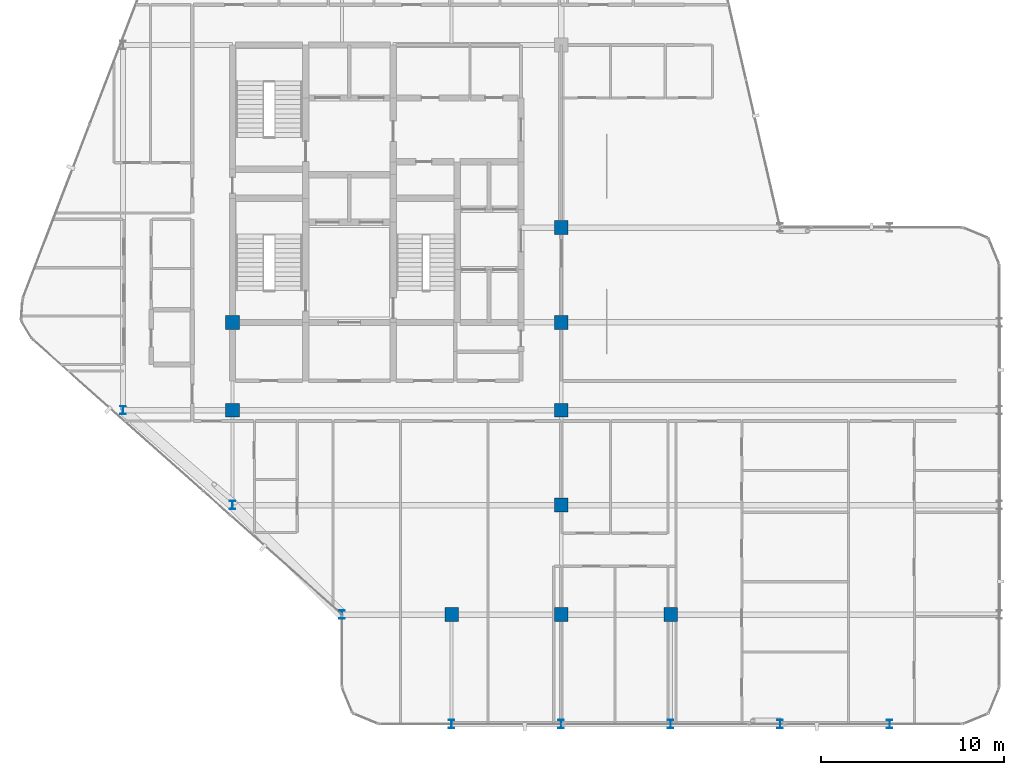
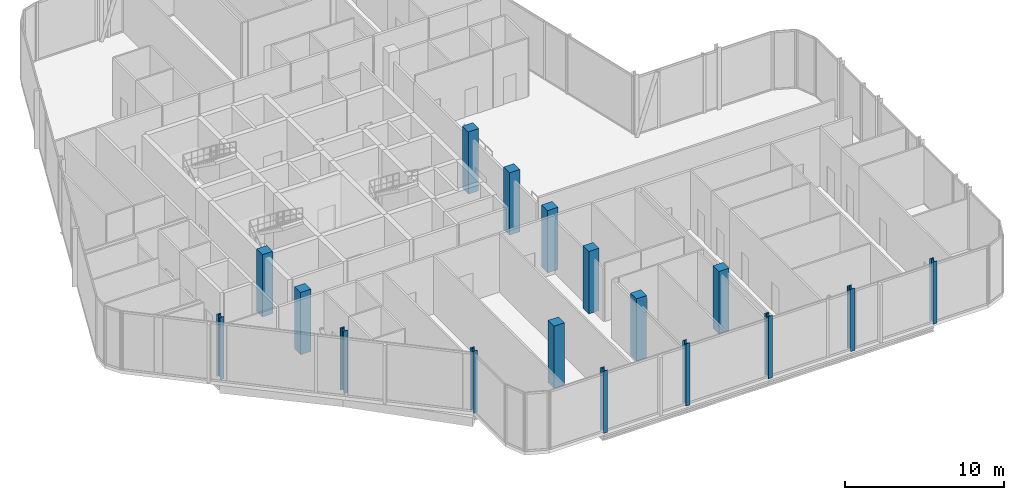
# One storey, part 1 of 29: 17 columns.
"""IFC4 building model written with IfcOpenShell, lengths in metres."""

import ifcopenshell
import ifcopenshell.guid

model = None  # the IFC model being written
_history = None  # IfcOwnerHistory: only IFC2X3 demands one
_inside = {}  # id of a spatial element -> (the spatial element, [elements in it])
_under = {}  # id of a project, library or spatial element -> (it, [spatial elements below it])
_declared = {}  # id of a project -> (the project, [libraries it declares])
_typed = {}  # id of a type object -> (the type object, [elements of that type])
_made_of = {}  # id of a material, layer set ... -> (it, [elements and type objects made of it])


def new_model(schema):
    """Start an empty IFC model of exactly this schema.

    Asked for "IFC4X3", IfcOpenShell would pick the latest addendum, in which some entities
    have other attributes; the version numbers below select the first issue.
    IFC2X3 requires an IfcOwnerHistory on every rooted entity: one is made here for all.
    """
    global model, _history
    if schema == "IFC4X3":
        model = ifcopenshell.file(schema_version=(4, 3, 0, 0))
    else:
        model = ifcopenshell.file(schema=schema)
    _inside.clear()
    _under.clear()
    _declared.clear()
    _typed.clear()
    _made_of.clear()
    _history = None
    if model.schema == "IFC2X3":
        org = make("IfcOrganization", Name="unknown")
        user = make(
            "IfcPersonAndOrganization",
            ThePerson=make("IfcPerson", FamilyName="unknown"),
            TheOrganization=org,
        )
        app = make(
            "IfcApplication",
            ApplicationDeveloper=org,
            Version="unknown",
            ApplicationFullName="unknown",
            ApplicationIdentifier="unknown",
        )
        _history = make(
            "IfcOwnerHistory",
            OwningUser=user,
            OwningApplication=app,
            ChangeAction="ADDED",
            CreationDate=0,
        )
    return model


def make(cls, **values):
    """One entity of the class cls with the attributes given. An attribute that is None is left unset."""
    return model.create_entity(
        cls, **{name: value for name, value in values.items() if value is not None}
    )


def rooted(cls, **values):
    """An entity with a GlobalId (a new one), such as an element, a storey or a relation."""
    return make(cls, GlobalId=ifcopenshell.guid.new(), OwnerHistory=_history, **values)


def si_unit(unit_type, name, prefix=None):
    """IfcSIUnit, for example si_unit("LENGTHUNIT", "METRE", prefix="MILLI")."""
    return make("IfcSIUnit", UnitType=unit_type, Prefix=prefix, Name=name)


def assignment(units):
    """IfcUnitAssignment: the units of a project."""
    return None if units is None else make("IfcUnitAssignment", Units=units)


def point(xyz):
    """IfcCartesianPoint."""
    return None if xyz is None else make("IfcCartesianPoint", Coordinates=xyz)


def direction(xyz):
    """IfcDirection."""
    return None if xyz is None else make("IfcDirection", DirectionRatios=xyz)


def frame(location, z_axis=None, x_axis=None):
    """IfcAxis2Placement3D, a coordinate frame: its origin and axes. An axis left out is left unset."""
    return make(
        "IfcAxis2Placement3D",
        Location=point(location),
        Axis=direction(z_axis),
        RefDirection=direction(x_axis),
    )


def frame_2d(location, x_axis=None):
    """IfcAxis2Placement2D, a coordinate frame in the plane: its origin and x axis."""
    return make(
        "IfcAxis2Placement2D", Location=point(location), RefDirection=direction(x_axis)
    )


def origin():
    """The frame at (0, 0, 0) with its axes left unset."""
    return frame((0.0, 0.0, 0.0))


def origin_2d():
    """The frame at (0, 0) in the plane with its x axis left unset."""
    return frame_2d((0.0, 0.0))


def place(relative_to, where):
    """IfcLocalPlacement: puts the frame where relative to a parent placement (None: the world)."""
    return make(
        "IfcLocalPlacement", PlacementRelTo=relative_to, RelativePlacement=where
    )


def context(
    kind, dimensions, precision=None, world=None, true_north=None, identifier=None
):
    """IfcGeometricRepresentationContext, for example the 3D "Model" context."""
    return make(
        "IfcGeometricRepresentationContext",
        ContextIdentifier=identifier,
        ContextType=kind,
        CoordinateSpaceDimension=dimensions,
        Precision=precision,
        WorldCoordinateSystem=world,
        TrueNorth=true_north,
    )


def subcontext(parent, identifier, kind, view, scale=None):
    """IfcGeometricRepresentationSubContext, for example "Body" below "Model"."""
    return make(
        "IfcGeometricRepresentationSubContext",
        ContextIdentifier=identifier,
        ContextType=kind,
        ParentContext=parent,
        TargetScale=scale,
        TargetView=view,
    )


def project(units=None, contexts=None):
    """IfcProject with its units and contexts."""
    return rooted(
        "IfcProject",
        Name="project",
        RepresentationContexts=contexts,
        UnitsInContext=assignment(units),
    )


def spatial(cls, under=None, at=None, **own):
    """A site, building, storey or space (cls), placed at a placement, below another one or the project."""
    s = rooted(cls, ObjectPlacement=at, **own)
    if under is not None:
        _under.setdefault(under.id(), (under, []))[1].append(s)
    return s


def profile(cls, at=None, kind="AREA", **sizes):
    """A parametric profile (cls). Its sizes go by their IFC names, for example OverallWidth=200.0."""
    return make(cls, ProfileType=kind, Position=at, **sizes)


def rectangle(**sizes):
    """IfcRectangleProfileDef."""
    return profile("IfcRectangleProfileDef", **sizes)


def i_section(**sizes):
    """IfcIShapeProfileDef."""
    return profile("IfcIShapeProfileDef", **sizes)


def extrude(swept, where, along, depth):
    """IfcExtrudedAreaSolid: the profile swept, set in the frame where, extruded along a direction by depth."""
    return make(
        "IfcExtrudedAreaSolid",
        SweptArea=swept,
        Position=where,
        ExtrudedDirection=direction(along),
        Depth=depth,
    )


def shape(context_of_items, identifier, shape_type, items):
    """IfcShapeRepresentation: the items that make up one representation, for example the "Body"."""
    return make(
        "IfcShapeRepresentation",
        ContextOfItems=context_of_items,
        RepresentationIdentifier=identifier,
        RepresentationType=shape_type,
        Items=items,
    )


def material(Name=None, Category=None):
    """IfcMaterial."""
    return make("IfcMaterial", Name=Name, Category=Category)


def material_profile(
    of_material, cross_section, Name=None, Category=None, Priority=None
):
    """IfcMaterialProfile: a cross section and its material."""
    return make(
        "IfcMaterialProfile",
        Name=Name,
        Material=of_material,
        Profile=cross_section,
        Priority=Priority,
        Category=Category,
    )


def profile_set(profiles, Name=None, composite=None):
    """IfcMaterialProfileSet."""
    return make(
        "IfcMaterialProfileSet",
        Name=Name,
        MaterialProfiles=profiles,
        CompositeProfile=composite,
    )


def made_of(thing, what):
    """Note that an element or type object is made of a material, layer set ...; save() writes the relation."""
    if what is not None:
        _made_of.setdefault(what.id(), (what, []))[1].append(thing)
    return thing


def type_object(cls, material=None, **own):
    """A type object (cls), such as IfcWallType, which elements share."""
    return made_of(rooted(cls, **own), material)


def element(
    cls,
    number,
    at=None,
    inside=None,
    cuts=None,
    type_object=None,
    material=None,
    context=None,
    identifier="Body",
    shape_type=None,
    held_by="IfcProductDefinitionShape",
    body=None,
    shapes=None,
    **own,
):
    """One element of the class cls, such as IfcWall. Its Tag is "e" and its number.

    at: its placement. inside: the storey or other place that contains it. cuts: it is an
    opening in that element (IfcRelVoidsElement). A single representation is given by context,
    identifier, shape_type and body (its items); several are given by shapes. held_by: the class
    of the entity that holds the representations. save() writes the other relations.
    """
    e = rooted(cls, Tag="e%d" % number, ObjectPlacement=at, **own)
    if body is not None:
        shapes = [shape(context, identifier, shape_type, body)]
    if shapes is not None:
        e.Representation = make(held_by, Representations=shapes)
    if inside is not None:
        _inside.setdefault(inside.id(), (inside, []))[1].append(e)
    if cuts is not None:
        rooted(
            "IfcRelVoidsElement", RelatingBuildingElement=cuts, RelatedOpeningElement=e
        )
    if type_object is not None:
        _typed.setdefault(type_object.id(), (type_object, []))[1].append(e)
    return made_of(e, material)


def aggregate(whole, parts):
    """IfcRelAggregates: a whole, such as a stair, and the parts it consists of."""
    return rooted("IfcRelAggregates", RelatingObject=whole, RelatedObjects=parts)


def save(model, path):
    """Write the relations noted so far, then the file.

    IfcRelAggregates (storeys below a building ...), IfcRelContainedInSpatialStructure (elements
    in a storey), IfcRelDefinesByType, IfcRelAssociatesMaterial and IfcRelDeclares: one each for
    every whole, place, type object, material and project.
    """
    for whole, parts in _under.values():
        aggregate(whole, parts)
    for where, things in _inside.values():
        rooted(
            "IfcRelContainedInSpatialStructure",
            RelatedElements=things,
            RelatingStructure=where,
        )
    for kind, things in _typed.values():
        rooted("IfcRelDefinesByType", RelatedObjects=things, RelatingType=kind)
    for what, things in _made_of.values():
        rooted("IfcRelAssociatesMaterial", RelatedObjects=things, RelatingMaterial=what)
    for by, libraries in _declared.values():
        rooted("IfcRelDeclares", RelatingContext=by, RelatedDefinitions=libraries)
    model.write(path)


model = new_model("IFC4")

# Units and contexts
model_context = context("Model", 3, precision=1e-05, world=origin(), true_north=direction((0.0, 1.0)))
body_context = subcontext(model_context, "Body", "Model", "MODEL_VIEW")
ifc_project = project(units=[si_unit("LENGTHUNIT", "METRE"), si_unit("AREAUNIT", "SQUARE_METRE"), si_unit("VOLUMEUNIT", "CUBIC_METRE"), si_unit("PLANEANGLEUNIT", "RADIAN"), si_unit("MASSUNIT", "GRAM", prefix="KILO")], contexts=[model_context])

# Site, building, storey
site_placement = place(None, origin())
site = spatial("IfcSite", under=ifc_project, at=site_placement, CompositionType="ELEMENT")
building_placement = place(site_placement, origin())
building = spatial("IfcBuilding", under=site, at=building_placement, Name="Keshet Zoharim Tower", CompositionType="ELEMENT")
storey_placement = place(building_placement, frame((0.0, 0.0, 218.0)))
storey = spatial("IfcBuildingStorey", under=building, at=storey_placement, Name="L54", CompositionType="ELEMENT", Elevation=218.0)

# Columns
ifc_material_1 = material(Name="Steel S355", Category="steel")
ifc_material_profile_1 = material_profile(ifc_material_1, i_section(OverallWidth=0.300048828125, OverallDepth=0.449951171875, WebThickness=0.013916015625, FlangeThickness=0.02587890625, FilletRadius=0.027099609375, at=origin_2d()), Name="HEB450")
ifc_profile_set_1 = profile_set([ifc_material_profile_1], Name="Steel S355")
column_type_1 = type_object("IfcColumnType", Name="COL-HEB450", PredefinedType="COLUMN", material=ifc_profile_set_1)
for number, where, z_axis, x_axis, name in (
    (1, (9.0, 17.89990234375, 0.0), (0.0, 0.0, 1.0), (1.0, 0.0, 0.0), "L54 Column 2D"),
    (2, (15.0, 12.699951171875, 0.0), (0.0, 0.0, 1.0), (1.0, 0.0, 0.0), "L54 Column 3C"),
    (3, (21.0, 6.699951171875, 0.0), (0.0, 0.0, 1.0), (1.0, 0.0, 0.0), "L54 Column 4B"),
    (4, (27.0, 0.699951171875, 0.0), (0.0, 0.0, 1.0), (1.0, 0.0, 0.0), "L54 Column 5A"),
    (5, (33.0, 0.699951171875, 0.0), (0.0, 0.0, 1.0), (1.0, 0.0, 0.0), "L54 Column 6A"),
    (6, (39.0, 0.699951171875, 0.0), (0.0, 0.0, 1.0), (1.0, 0.0, 0.0), "L54 Column 7A"),
    (7, (45.0, 0.699951171875, 0.0), (0.0, 0.0, 1.0), (1.0, 0.0, 0.0), "L54 Column 8A"),
    (8, (51.0, 0.699951171875, 0.0), (0.0, 0.0, 1.0), (1.0, 0.0, 0.0), "L54 Column 9A"),
):
    element("IfcColumn", number, at=place(storey_placement, frame(where, z_axis=z_axis, x_axis=x_axis)), inside=storey, type_object=column_type_1, Name=name, PredefinedType="COLUMN", context=body_context, shape_type="SweptSolid", body=[
        extrude(i_section(OverallWidth=0.300048828125, OverallDepth=0.449951171875, WebThickness=0.013916015625, FlangeThickness=0.02587890625, FilletRadius=0.027099609375, at=origin_2d()), origin(), (0.0, 0.0, 1.0), 4.800048828125),
    ])
ifc_material_2 = material(Name="Concrete C50/60", Category="concrete")
ifc_material_profile_2 = material_profile(ifc_material_2, rectangle(XDim=0.75, YDim=0.75, at=origin_2d()), Name="RC750x750")
ifc_profile_set_2 = profile_set([ifc_material_profile_2], Name="Concrete C50/60")
column_type_2 = type_object("IfcColumnType", Name="COL-RC750", PredefinedType="COLUMN", material=ifc_profile_set_2)
for number, where, z_axis, x_axis, name in (
    (9, (15.0, 17.89990234375, 0.0), (0.0, 0.0, 1.0), (1.0, 0.0, 0.0), "L54 Column 3D"),
    (10, (15.0, 22.699951171875, 0.0), (0.0, 0.0, 1.0), (1.0, 0.0, 0.0), "L54 Column 3E"),
    (11, (27.0, 6.699951171875, 0.0), (0.0, 0.0, 1.0), (1.0, 0.0, 0.0), "L54 Column 5B"),
    (12, (33.0, 6.699951171875, 0.0), (0.0, 0.0, 1.0), (1.0, 0.0, 0.0), "L54 Column 6B"),
    (13, (33.0, 12.699951171875, 0.0), (0.0, 0.0, 1.0), (1.0, 0.0, 0.0), "L54 Column 6C"),
    (14, (33.0, 17.89990234375, 0.0), (0.0, 0.0, 1.0), (1.0, 0.0, 0.0), "L54 Column 6D"),
    (15, (33.0, 22.699951171875, 0.0), (0.0, 0.0, 1.0), (1.0, 0.0, 0.0), "L54 Column 6E"),
    (16, (33.0, 27.89990234375, 0.0), (0.0, 0.0, 1.0), (1.0, 0.0, 0.0), "L54 Column 6F"),
    (17, (39.0, 6.699951171875, 0.0), (0.0, 0.0, 1.0), (1.0, 0.0, 0.0), "L54 Column 7B"),
):
    element("IfcColumn", number, at=place(storey_placement, frame(where, z_axis=z_axis, x_axis=x_axis)), inside=storey, type_object=column_type_2, Name=name, PredefinedType="COLUMN", context=body_context, shape_type="SweptSolid", body=[
        extrude(rectangle(XDim=0.75, YDim=0.75, at=origin_2d()), origin(), (0.0, 0.0, 1.0), 4.800048828125),
    ])

save(model, "model.ifc")
